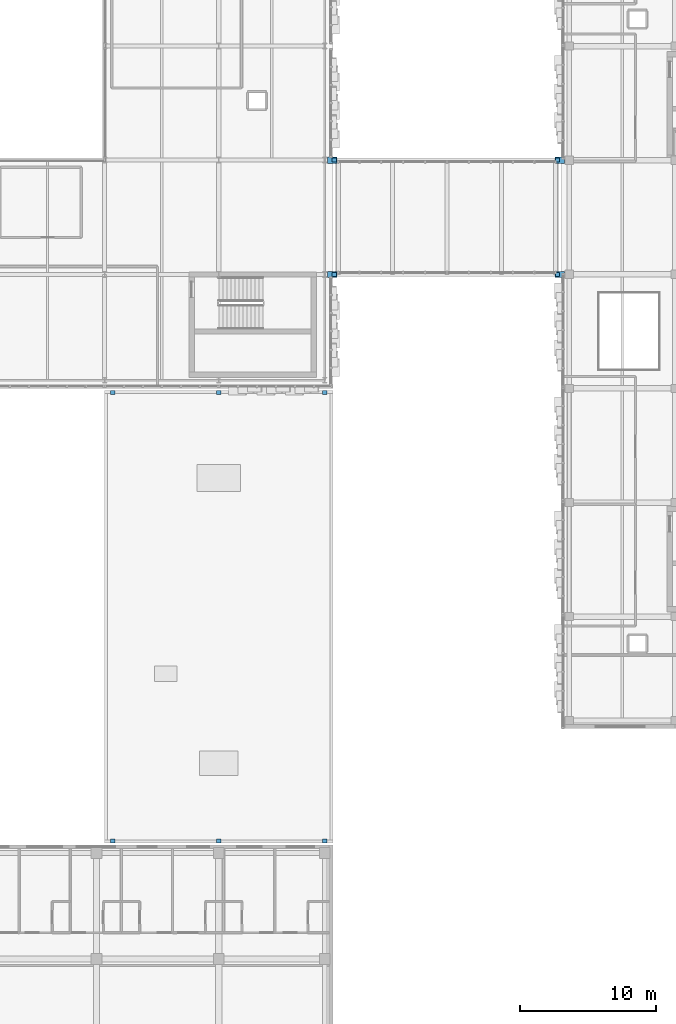
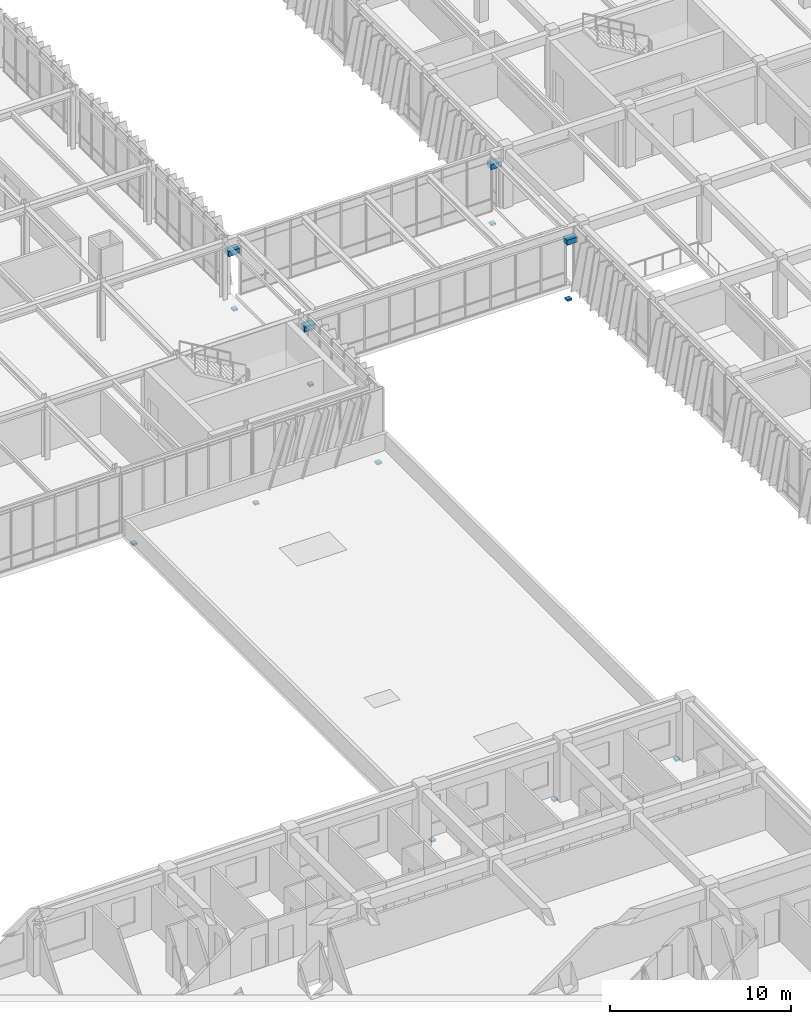
# One storey, part 115 of 127: 14 discrete accessories.
"""IFC4 building model written with IfcOpenShell, lengths in metres."""

from ifc_helpers import new_model, si_unit, direction, frame, origin, origin_2d, place, context, subcontext, project, spatial, rectangle, extrude, material, type_object, element, save


model = new_model("IFC4")

# Units and contexts
model_context = context("Model", 3, precision=1e-05, world=origin(), true_north=direction((0.0, 1.0)))
body_context = subcontext(model_context, "Body", "Model", "MODEL_VIEW")
ifc_project = project(units=[si_unit("LENGTHUNIT", "METRE"), si_unit("AREAUNIT", "SQUARE_METRE"), si_unit("VOLUMEUNIT", "CUBIC_METRE"), si_unit("PLANEANGLEUNIT", "RADIAN"), si_unit("MASSUNIT", "GRAM", prefix="KILO")], contexts=[model_context])

# Site, building, storey
site_placement = place(None, origin())
site = spatial("IfcSite", under=ifc_project, at=site_placement, CompositionType="ELEMENT")
building_placement = place(site_placement, origin())
building = spatial("IfcBuilding", under=site, at=building_placement, Name="Zayran Congress Hotel", CompositionType="ELEMENT")
storey_placement = place(building_placement, frame((0.0, 0.0, 10.800048828125)))
storey = spatial("IfcBuildingStorey", under=building, at=storey_placement, Name="L02", CompositionType="ELEMENT", Elevation=10.800048828125)

# Discrete accessories
ifc_material_1 = material(Name="Steel S355", Category="steel")
discrete_accessory_type_1 = type_object("IfcDiscreteAccessoryType", Name="TP-PTFE-BRG", PredefinedType="USERDEFINED", material=ifc_material_1)
for number, where, z_axis, x_axis, name in (
    (1, (92.5, 76.0, -1.010009765625), (0.0, 0.0, 1.0), (1.0, 0.0, 0.0), "Unguided 2D Free PTFE Sliding Bearing 5"),
    (2, (108.949951171875, 76.0, -1.010009765625), (0.0, 0.0, 1.0), (1.0, 0.0, 0.0), "Unguided 2D Free PTFE Sliding Bearing 6"),
    (3, (92.5, 84.39990234375, -1.010009765625), (0.0, 0.0, 1.0), (1.0, 0.0, 0.0), "Unguided 2D Free PTFE Sliding Bearing 7"),
    (4, (108.949951171875, 84.39990234375, -1.010009765625), (0.0, 0.0, 1.0), (1.0, 0.0, 0.0), "Unguided 2D Free PTFE Sliding Bearing 8"),
    (5, (76.199951171875, 34.300048828125, -0.760009765625), (0.0, 0.0, 1.0), (1.0, 0.0, 0.0), "Unguided 2D Free PTFE Sliding Bearing 25"),
    (6, (76.199951171875, 67.300048828125, -0.760009765625), (0.0, 0.0, 1.0), (1.0, 0.0, 0.0), "Unguided 2D Free PTFE Sliding Bearing 26"),
    (7, (84.0, 34.300048828125, -0.760009765625), (0.0, 0.0, 1.0), (1.0, 0.0, 0.0), "Unguided 2D Free PTFE Sliding Bearing 27"),
    (8, (84.0, 67.300048828125, -0.760009765625), (0.0, 0.0, 1.0), (1.0, 0.0, 0.0), "Unguided 2D Free PTFE Sliding Bearing 28"),
    (9, (91.800048828125, 34.300048828125, -0.760009765625), (0.0, 0.0, 1.0), (1.0, 0.0, 0.0), "Unguided 2D Free PTFE Sliding Bearing 29"),
    (10, (91.800048828125, 67.300048828125, -0.760009765625), (0.0, 0.0, 1.0), (1.0, 0.0, 0.0), "Unguided 2D Free PTFE Sliding Bearing 30"),
):
    element("IfcDiscreteAccessory", number, at=place(storey_placement, frame(where, z_axis=z_axis, x_axis=x_axis)), inside=storey, type_object=discrete_accessory_type_1, Name=name, ObjectType="SLIDING BEARING", PredefinedType="USERDEFINED", context=body_context, shape_type="SweptSolid", body=[
        extrude(rectangle(XDim=0.300048828125, YDim=0.300048828125, at=origin_2d()), origin(), (0.0, 0.0, 1.0), 0.1201171875),
    ])
ifc_material_2 = material(Name="Concrete C40/50", Category="concrete")
discrete_accessory_type_2 = type_object("IfcDiscreteAccessoryType", Name="TP-CRB-650", PredefinedType="BRACKET", material=ifc_material_2)
for number, where, z_axis, x_axis, name in (
    (11, (92.35009765625, 76.0, 2.849853515625), (0.0, 0.0, 1.0), (1.0, 0.0, 0.0), "Skybridge 700mm RC Corbel Seat 9"),
    (12, (109.10009765625, 76.0, 2.849853515625), (0.0, 0.0, 1.0), (1.0, 0.0, 0.0), "Skybridge 700mm RC Corbel Seat 10"),
    (13, (92.35009765625, 84.39990234375, 2.849853515625), (0.0, 0.0, 1.0), (1.0, 0.0, 0.0), "Skybridge 700mm RC Corbel Seat 11"),
    (14, (109.10009765625, 84.39990234375, 2.849853515625), (0.0, 0.0, 1.0), (1.0, 0.0, 0.0), "Skybridge 700mm RC Corbel Seat 12"),
):
    element("IfcDiscreteAccessory", number, at=place(storey_placement, frame(where, z_axis=z_axis, x_axis=x_axis)), inside=storey, type_object=discrete_accessory_type_2, Name=name, PredefinedType="BRACKET", context=body_context, shape_type="SweptSolid", body=[
        extrude(rectangle(XDim=0.699951171875, YDim=0.449951171875, at=origin_2d()), origin(), (0.0, 0.0, 1.0), 0.35009765625),
    ])

save(model, "model.ifc")
